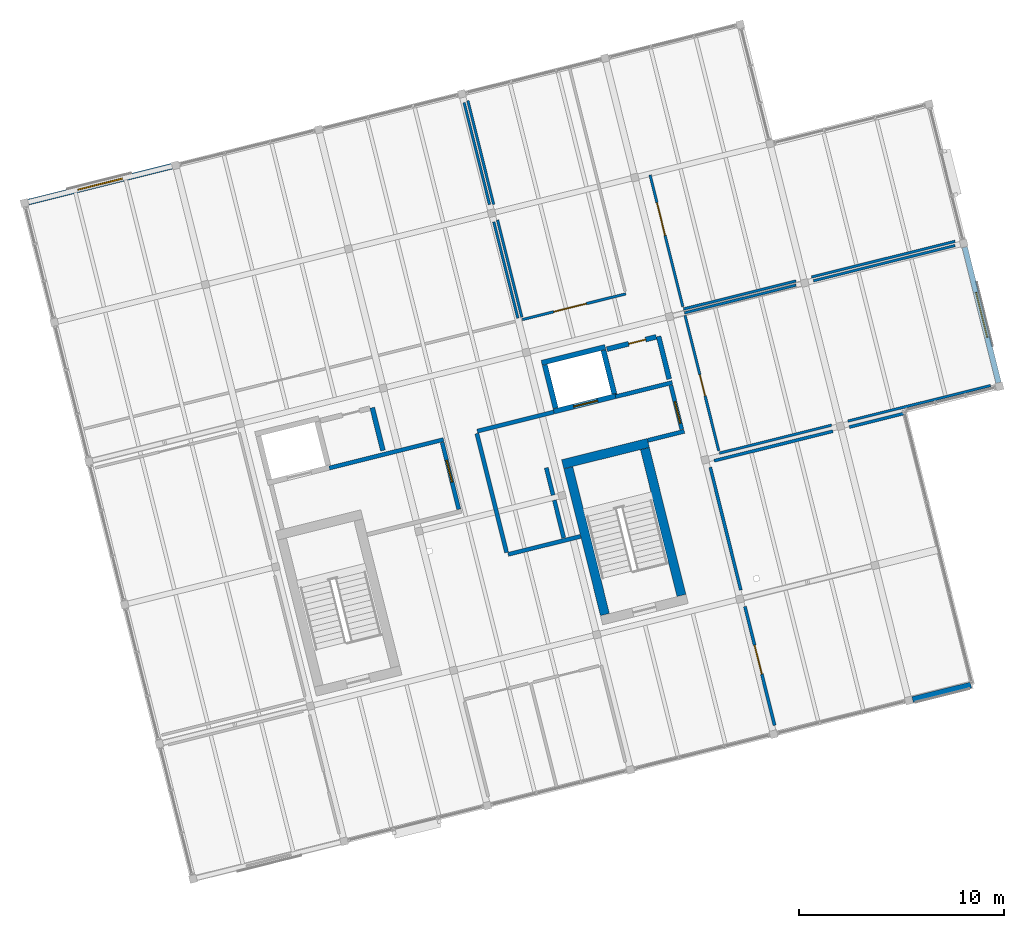
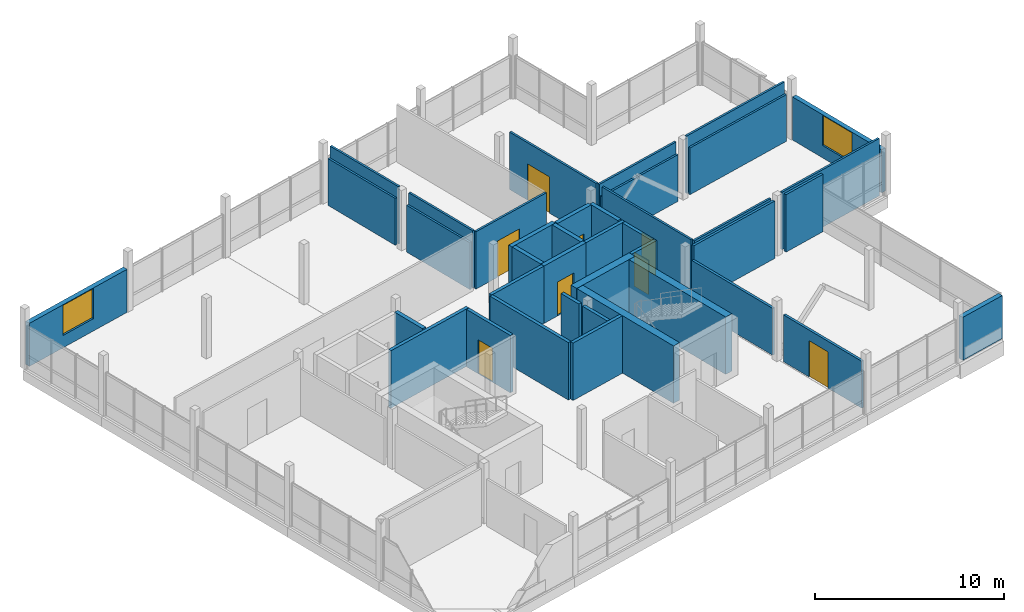
# One storey, part 26 of 28: 40 walls, 8 doors, 2 windows, 10 openings.
"""IFC4 building model written with IfcOpenShell, lengths in metres."""

from ifc_helpers import new_model, si_unit, direction, frame, frame_2d, origin, place, context, subcontext, project, spatial, rectangle, extrude, material, layer, layer_set, type_object, element, fill, save


model = new_model("IFC4")

# Units and contexts
model_context = context("Model", 3, precision=1e-05, world=origin(), true_north=direction((0.0, 1.0)))
body_context = subcontext(model_context, "Body", "Model", "MODEL_VIEW")
ifc_project = project(units=[si_unit("LENGTHUNIT", "METRE"), si_unit("AREAUNIT", "SQUARE_METRE"), si_unit("VOLUMEUNIT", "CUBIC_METRE"), si_unit("PLANEANGLEUNIT", "RADIAN"), si_unit("MASSUNIT", "GRAM", prefix="KILO")], contexts=[model_context])

# Site, building, storey
site_placement = place(None, origin())
site = spatial("IfcSite", under=ifc_project, at=site_placement, CompositionType="ELEMENT")
building_placement = place(site_placement, origin())
building = spatial("IfcBuilding", under=site, at=building_placement, Name="Meriwether Solvik Hall", CompositionType="ELEMENT")
storey_placement = place(building_placement, frame((0.0, 0.0, 37.800048828125)))
storey = spatial("IfcBuildingStorey", under=building, at=storey_placement, Name="L09", CompositionType="ELEMENT", Elevation=37.800048828125)

# Wall, opening, window
ifc_material_1 = material(Name="Charred Western Red Cedar Timber and Mineral Wool", Category="wood")
ifc_layer_1 = layer(ifc_material_1, 0.27001953125)
ifc_layer_set_1 = layer_set([ifc_layer_1], Name="Charred Western Red Cedar Timber and Mineral Wool")
wall_type_1 = type_object("IfcWallType", Name="WALL-EXT-270", PredefinedType="SOLIDWALL", material=ifc_layer_set_1)
wall_1_placement = place(storey_placement, frame((106.259765625, 72.031982421875, 0.0), z_axis=(0.0, 0.0, 1.0), x_axis=(0.241919880577, -0.970296228675, 0.0)))
wall_1 = element("IfcWall", 1, at=wall_1_placement, inside=storey, type_object=wall_type_1, Name="L09 Timber Rainscreen Wall 4.0", PredefinedType="SOLIDWALL", context=body_context, shape_type="SweptSolid", body=[
    extrude(rectangle(XDim=6.81103515625, YDim=0.27001953125, at=frame_2d((3.405517578125, 0.0))), origin(), (0.0, 0.0, 1.0), 2.7900390625),
])
opening_1_placement = place(wall_1_placement, frame((2.280517578125, 0.0, 0.800048828125)))
opening_1 = element("IfcOpeningElement", 2, at=opening_1_placement, cuts=wall_1, Name="Opening WN-150", PredefinedType="OPENING", context=body_context, shape_type="SweptSolid", body=[
    extrude(rectangle(XDim=2.25, YDim=1.949951171875, at=frame_2d((1.125, 0.97509765625))), frame((0.0, 0.14697265625, 0.0), z_axis=(0.0, -1.0, 0.0), x_axis=(1.0, 0.0, 0.0)), (0.0, 0.0, 1.0), 0.2939453125),
])
ifc_material_2 = material(Name="Thermally Broken Anodised Aluminium and Triple Low-E Glass", Category="aluminium")
window_type = type_object("IfcWindowType", Name="WIN-TW-SHARD-225X195", PartitioningType="SINGLE_PANEL", PredefinedType="WINDOW", material=ifc_material_2)
window_1_placement = place(opening_1_placement, origin())
window_1 = element("IfcWindow", 3, at=window_1_placement, inside=storey, type_object=window_type, Name="L09 Punched Window 4.0", OverallHeight=1.949951171875, OverallWidth=2.25, PartitioningType="SINGLE_PANEL", PredefinedType="WINDOW", context=body_context, shape_type="SweptSolid", body=[
    extrude(rectangle(XDim=2.25, YDim=1.949951171875, at=frame_2d((1.125, 0.97509765625))), frame((0.0, 0.030029296875, 0.0), z_axis=(0.0, -1.0, 0.0), x_axis=(1.0, 0.0, 0.0)), (0.0, 0.0, 1.0), 0.06005859375),
])
fill(opening_1, window_1)

# Wall
ifc_material_3 = material(Name="Cross-Laminated Timber and Mineral-Wool Insulation", Category="wood")
ifc_layer_2 = layer(ifc_material_3, 0.2900390625)
ifc_layer_set_2 = layer_set([ifc_layer_2], Name="Cross-Laminated Timber and Mineral-Wool Insulation")
wall_type_2 = type_object("IfcWallType", Name="WALL-EXT-290", PredefinedType="SOLIDWALL", material=ifc_layer_set_2)
wall_2_placement = place(storey_placement, frame((106.557861328125, 50.6640625, 0.0), z_axis=(0.0, 0.0, 1.0), x_axis=(-0.970289601144, -0.241946460839, 0.0)))
element("IfcWall", 4, at=wall_2_placement, inside=storey, type_object=wall_type_2, Name="L09 Timber Rainscreen Wall 1.5", PredefinedType="SOLIDWALL", context=body_context, shape_type="SweptSolid", body=[
    extrude(rectangle(XDim=2.92529296875, YDim=0.2900390625, at=frame_2d((1.462646484375, 0.0))), origin(), (0.0, 0.0, 1.0), 2.7900390625),
])

# Wall, opening, window
wall_3_placement = place(storey_placement, frame((60.5634765625, 74.237060546875, 0.0), z_axis=(0.0, 0.0, 1.0), x_axis=(0.970291682811, 0.241938112473, 0.0)))
wall_3 = element("IfcWall", 5, at=wall_3_placement, inside=storey, type_object=wall_type_2, Name="L09 Timber Rainscreen Wall 7.0", PredefinedType="SOLIDWALL", context=body_context, shape_type="SweptSolid", body=[
    extrude(rectangle(XDim=7.2109375, YDim=0.2900390625, at=frame_2d((3.60546875, 0.0))), origin(), (0.0, 0.0, 1.0), 2.7900390625),
])
opening_2_placement = place(wall_3_placement, frame((2.48046875, 0.0, 0.800048828125)))
opening_2 = element("IfcOpeningElement", 6, at=opening_2_placement, cuts=wall_3, Name="Opening WN-150", PredefinedType="OPENING", context=body_context, shape_type="SweptSolid", body=[
    extrude(rectangle(XDim=2.25, YDim=1.949951171875, at=frame_2d((1.125, 0.97509765625))), frame((0.0, 0.156982421875, 0.0), z_axis=(0.0, -1.0, 0.0), x_axis=(1.0, 0.0, 0.0)), (0.0, 0.0, 1.0), 0.31396484375),
])
window_2_placement = place(opening_2_placement, origin())
window_2 = element("IfcWindow", 7, at=window_2_placement, inside=storey, type_object=window_type, Name="L09 Punched Window 7.0", OverallHeight=1.949951171875, OverallWidth=2.25, PartitioningType="SINGLE_PANEL", PredefinedType="WINDOW", context=body_context, shape_type="SweptSolid", body=[
    extrude(rectangle(XDim=2.25, YDim=1.949951171875, at=frame_2d((1.125, 0.97509765625))), frame((0.0, 0.030029296875, 0.0), z_axis=(0.0, -1.0, 0.0), x_axis=(1.0, 0.0, 0.0)), (0.0, 0.0, 1.0), 0.06005859375),
])
fill(opening_2, window_2)

# Wall
ifc_material_4 = material(Name="Fire-Rated Type X Gypsum Board", Category="gypsum")
ifc_layer_3 = layer(ifc_material_4, 0.199951171875)
ifc_layer_set_3 = layer_set([ifc_layer_3], Name="Fire-Rated Type X Gypsum Board")
wall_type_3 = type_object("IfcWallType", Name="WALL-FIRE-200", PredefinedType="STANDARD", material=ifc_layer_set_3)
wall_4_placement = place(storey_placement, frame((75.24609375, 61.25341796875, 0.0), z_axis=(0.0, 0.0, 1.0), x_axis=(0.970292173201, 0.24193614576, 0.0)))
element("IfcWall", 8, at=wall_4_placement, inside=storey, type_object=wall_type_3, Name="L09 Interior Partition lb1_n_cap", PredefinedType="STANDARD", context=body_context, shape_type="SweptSolid", body=[
    extrude(rectangle(XDim=5.75, YDim=0.199951171875, at=frame_2d((2.875, 0.0))), origin(), (0.0, 0.0, 1.0), 3.719970703125),
])

# Wall, opening, door
wall_5_placement = place(storey_placement, frame((80.75732421875, 62.50390625, 0.0), z_axis=(0.0, 0.0, 1.0), x_axis=(0.241885902723, -0.970304699599, 0.0)))
wall_5 = element("IfcWall", 9, at=wall_5_placement, inside=storey, type_object=wall_type_3, Name="L09 Interior Partition lb1_e", PredefinedType="STANDARD", context=body_context, shape_type="SweptSolid", body=[
    extrude(rectangle(XDim=3.360107421875, YDim=0.199951171875, at=frame_2d((1.68017578125, 0.0))), origin(), (0.0, 0.0, 1.0), 3.719970703125),
])
opening_3_placement = place(wall_5_placement, frame((0.889892578125, 0.0, 0.0)))
opening_3 = element("IfcOpeningElement", 10, at=opening_3_placement, cuts=wall_5, Name="Opening D-168", PredefinedType="OPENING", context=body_context, shape_type="SweptSolid", body=[
    extrude(rectangle(XDim=1.10009765625, YDim=2.199951171875, at=frame_2d((0.550048828125, 1.10009765625))), frame((0.0, 0.11181640625, 0.0), z_axis=(0.0, -1.0, 0.0), x_axis=(1.0, 0.0, 0.0)), (0.0, 0.0, 1.0), 0.223876953125),
])
ifc_material_5 = material(Name="Steel A36 Galvanised", Category="steel")
door_type_1 = type_object("IfcDoorType", Name="DR-FD60-1100L", OperationType="SINGLE_SWING_LEFT", PredefinedType="DOOR", material=ifc_material_5)
door_1_placement = place(opening_3_placement, origin())
door_1 = element("IfcDoor", 11, at=door_1_placement, inside=storey, type_object=door_type_1, Name="West FSAE Lift Lobby Door (L09)", OperationType="SINGLE_SWING_LEFT", OverallHeight=2.199951171875, OverallWidth=1.10009765625, PredefinedType="DOOR", context=body_context, shape_type="SweptSolid", body=[
    extrude(rectangle(XDim=1.10009765625, YDim=2.199951171875, at=frame_2d((0.550048828125, 1.10009765625))), frame((0.0, 0.02490234375, 0.0), z_axis=(0.0, -1.0, 0.0), x_axis=(1.0, 0.0, 0.0)), (0.0, 0.0, 1.0), 0.050048828125),
])
fill(opening_3, door_1)

# Walls
wall_6_placement = place(storey_placement, frame((82.452880859375, 62.93701171875, 0.0), z_axis=(0.0, 0.0, 1.0), x_axis=(0.241891967324, -0.970303187743, 0.0)))
element("IfcWall", 12, at=wall_6_placement, inside=storey, type_object=wall_type_3, Name="L09 Interior Partition lb2_w", PredefinedType="STANDARD", context=body_context, shape_type="SweptSolid", body=[
    extrude(rectangle(XDim=5.97998046875, YDim=0.199951171875, at=frame_2d((2.989990234375, 0.0))), origin(), (0.0, 0.0, 1.0), 3.719970703125),
])
wall_7_placement = place(storey_placement, frame((83.972412109375, 57.03955078125, 0.0), z_axis=(0.0, 0.0, 1.0), x_axis=(0.97030000841, 0.241904720251, 0.0)))
element("IfcWall", 13, at=wall_7_placement, inside=storey, type_object=wall_type_3, Name="L09 Interior Partition lb2_s_w", PredefinedType="STANDARD", context=body_context, shape_type="SweptSolid", body=[
    extrude(rectangle(XDim=3.642333984375, YDim=0.199951171875, at=frame_2d((1.8212890625, 0.0))), origin(), (0.0, 0.0, 1.0), 3.719970703125),
])
wall_8_placement = place(storey_placement, frame((86.691650390625, 57.841064453125, 0.0), z_axis=(0.0, 0.0, 1.0), x_axis=(-0.241992731984, 0.970278062035, 0.0)))
element("IfcWall", 14, at=wall_8_placement, inside=storey, type_object=wall_type_3, Name="L09 Interior Partition lb2_e_low", PredefinedType="STANDARD", context=body_context, shape_type="SweptSolid", body=[
    extrude(rectangle(XDim=1.90478515625, YDim=0.199951171875, at=frame_2d((0.952392578125, 0.0))), origin(), (0.0, 0.0, 1.0), 3.719970703125),
])
wall_9_placement = place(storey_placement, frame((86.169921875, 59.932861328125, 0.0), z_axis=(0.0, 0.0, 1.0), x_axis=(-0.241824833036, 0.970319921535, 0.0)))
element("IfcWall", 15, at=wall_9_placement, inside=storey, type_object=wall_type_3, Name="L09 Interior Partition lb2_e_low_s2", PredefinedType="STANDARD", context=body_context, shape_type="SweptSolid", body=[
    extrude(rectangle(XDim=1.3740234375, YDim=0.199951171875, at=frame_2d((0.68701171875, 0.0))), origin(), (0.0, 0.0, 1.0), 3.719970703125),
])
wall_10_placement = place(storey_placement, frame((82.47265625, 63.05517578125, 0.0), z_axis=(0.0, 0.0, 1.0), x_axis=(0.970284368558, 0.241967444366, 0.0)))
element("IfcWall", 16, at=wall_10_placement, inside=storey, type_object=wall_type_3, Name="L09 Interior Partition lb2_n_cap_w", PredefinedType="STANDARD", context=body_context, shape_type="SweptSolid", body=[
    extrude(rectangle(XDim=3.84228515625, YDim=0.199951171875, at=frame_2d((1.921142578125, 0.0))), origin(), (0.0, 0.0, 1.0), 3.719970703125),
])
wall_11_placement = place(storey_placement, frame((90.791015625, 62.604248046875, 0.0), z_axis=(0.0, 0.0, 1.0), x_axis=(0.970306180373, 0.241879962645, 0.0)))
element("IfcWall", 17, at=wall_11_placement, inside=storey, type_object=wall_type_3, Name="L09 Interior Partition lb2_s", PredefinedType="STANDARD", context=body_context, shape_type="SweptSolid", body=[
    extrude(rectangle(XDim=1.840087890625, YDim=0.199951171875, at=frame_2d((0.919921875, 0.0))), origin(), (0.0, 0.0, 1.0), 3.719970703125),
])
wall_12_placement = place(storey_placement, frame((89.21826171875, 64.737060546875, 0.0), z_axis=(0.0, 0.0, 1.0), x_axis=(0.97027839681, 0.241991389687, 0.0)))
element("IfcWall", 18, at=wall_12_placement, inside=storey, type_object=wall_type_3, Name="L09 Interior Partition lb2_n_cap", PredefinedType="STANDARD", context=body_context, shape_type="SweptSolid", body=[
    extrude(rectangle(XDim=2.85009765625, YDim=0.199951171875, at=frame_2d((1.425048828125, 0.0))), origin(), (0.0, 0.0, 1.0), 3.719970703125),
])

# Wall, opening, door
wall_13_placement = place(storey_placement, frame((91.91552734375, 65.2861328125, 0.0), z_axis=(0.0, 0.0, 1.0), x_axis=(0.241911789465, -0.970298245963, 0.0)))
wall_13 = element("IfcWall", 19, at=wall_13_placement, inside=storey, type_object=wall_type_3, Name="L09 Interior Partition lb2_e", PredefinedType="STANDARD", context=body_context, shape_type="SweptSolid", body=[
    extrude(rectangle(XDim=2.210205078125, YDim=0.199951171875, at=frame_2d((1.10498046875, 0.0))), origin(), (0.0, 0.0, 1.0), 3.719970703125),
])
opening_4_placement = place(wall_13_placement, frame((0.81005859375, 0.0, 0.0)))
opening_4 = element("IfcOpeningElement", 20, at=opening_4_placement, cuts=wall_13, Name="Opening D-168", PredefinedType="OPENING", context=body_context, shape_type="SweptSolid", body=[
    extrude(rectangle(XDim=1.10009765625, YDim=2.199951171875, at=frame_2d((0.550048828125, 1.10009765625))), frame((0.0, 0.11181640625, 0.0), z_axis=(0.0, -1.0, 0.0), x_axis=(1.0, 0.0, 0.0)), (0.0, 0.0, 1.0), 0.223876953125),
])
door_2_placement = place(opening_4_placement, origin())
door_2 = element("IfcDoor", 21, at=door_2_placement, inside=storey, type_object=door_type_1, Name="East FSAE Lift Lobby Door (L09)", OperationType="SINGLE_SWING_LEFT", OverallHeight=2.199951171875, OverallWidth=1.10009765625, PredefinedType="DOOR", context=body_context, shape_type="SweptSolid", body=[
    extrude(rectangle(XDim=1.10009765625, YDim=2.199951171875, at=frame_2d((0.550048828125, 1.10009765625))), frame((0.0, 0.02490234375, 0.0), z_axis=(0.0, -1.0, 0.0), x_axis=(1.0, 0.0, 0.0)), (0.0, 0.0, 1.0), 0.050048828125),
])
fill(opening_4, door_2)

# Walls
ifc_material_6 = material(Name="Concrete C40/50", Category="concrete")
ifc_layer_4 = layer(ifc_material_6, 0.25)
ifc_layer_set_4 = layer_set([ifc_layer_4], Name="Concrete C40/50")
wall_type_4 = type_object("IfcWallType", Name="WALL-HOIST-250", PredefinedType="SHEAR", material=ifc_layer_set_4)
wall_14_placement = place(storey_placement, frame((88.716552734375, 67.162841796875, 0.0), z_axis=(0.0, 0.0, 1.0), x_axis=(-0.970294894235, -0.241925232711, 0.0)))
element("IfcWall", 22, at=wall_14_placement, inside=storey, type_object=wall_type_4, Name="Hoistway BANK2 North Wall (L09)", PredefinedType="SHEAR", context=body_context, shape_type="SweptSolid", body=[
    extrude(rectangle(XDim=3.199951171875, YDim=0.25, at=frame_2d((1.60009765625, 0.0))), origin(), (0.0, 0.0, 1.0), 3.719970703125),
])
for number, where, z_axis, x_axis, name in (
    (23, (85.765625, 66.287841796875, 0.0), (0.0, 0.0, 1.0), (0.241903146974, -0.970300400641, 0.0), "Hoistway BANK2 West Wall (L09)"),
    (24, (89.1552734375, 64.886474609375, 0.0), (0.0, 0.0, 1.0), (-0.241903146974, 0.970300400641, 0.0), "Hoistway BANK2 East Wall (L09)"),
):
    element("IfcWall", number, at=place(storey_placement, frame(where, z_axis=z_axis, x_axis=x_axis)), inside=storey, type_object=wall_type_4, Name=name, PredefinedType="SHEAR", context=body_context, shape_type="SweptSolid", body=[
        extrude(rectangle(XDim=2.179931640625, YDim=0.25, at=frame_2d((1.08984375, 0.0))), origin(), (0.0, 0.0, 1.0), 3.719970703125),
    ])

# Wall, opening, door
wall_15_placement = place(storey_placement, frame((86.204345703125, 64.011474609375, 0.0), z_axis=(0.0, 0.0, 1.0), x_axis=(0.970294894235, 0.241925232711, 0.0)))
wall_15 = element("IfcWall", 25, at=wall_15_placement, inside=storey, type_object=wall_type_4, Name="Lift LF-02 Landing Wall (L09)", PredefinedType="SHEAR", context=body_context, shape_type="SweptSolid", body=[
    extrude(rectangle(XDim=3.199951171875, YDim=0.25, at=frame_2d((1.60009765625, 0.0))), origin(), (0.0, 0.0, 1.0), 3.719970703125),
])
opening_5_placement = place(wall_15_placement, frame((1.0, 0.0, 0.0)))
opening_5 = element("IfcOpeningElement", 26, at=opening_5_placement, cuts=wall_15, Name="Opening LD-02", PredefinedType="OPENING", context=body_context, shape_type="SweptSolid", body=[
    extrude(rectangle(XDim=1.199951171875, YDim=2.199951171875, at=frame_2d((0.60009765625, 1.10009765625))), frame((0.0, 0.136962890625, 0.0), z_axis=(0.0, -1.0, 0.0), x_axis=(1.0, 0.0, 0.0)), (0.0, 0.0, 1.0), 0.27392578125),
])
ifc_material_7 = material(Name="Stainless Steel AISI 316", Category="steel")
door_type_2 = type_object("IfcDoorType", Name="DR-LIFT-FSAE", OperationType="DOUBLE_DOOR_SLIDING", PredefinedType="DOOR", material=ifc_material_7)
door_3_placement = place(opening_5_placement, origin())
door_3 = element("IfcDoor", 27, at=door_3_placement, inside=storey, type_object=door_type_2, Name="Lift Landing Door LF-02 (L09)", OperationType="DOUBLE_DOOR_SLIDING", OverallHeight=2.199951171875, OverallWidth=1.199951171875, PredefinedType="DOOR", context=body_context, shape_type="SweptSolid", body=[
    extrude(rectangle(XDim=1.199951171875, YDim=2.199951171875, at=frame_2d((0.60009765625, 1.10009765625))), frame((0.0, 0.02490234375, 0.0), z_axis=(0.0, -1.0, 0.0), x_axis=(1.0, 0.0, 0.0)), (0.0, 0.0, 1.0), 0.050048828125),
])
fill(opening_5, door_3)

# Walls
ifc_material_8 = material(Name="Gypsum Board Partition", Category="gypsum")
ifc_layer_5 = layer(ifc_material_8, 0.125)
ifc_layer_set_5 = layer_set([ifc_layer_5], Name="Gypsum Board Partition")
wall_type_5 = type_object("IfcWallType", Name="WALL-PART-125", PredefinedType="PARTITIONING", material=ifc_layer_set_5)
wall_16_placement = place(storey_placement, frame((84.449951171875, 68.5673828125, 0.0), z_axis=(0.0, 0.0, 1.0), x_axis=(-0.241894861771, 0.970302466166, 0.0)))
element("IfcWall", 28, at=wall_16_placement, inside=storey, type_object=wall_type_5, Name="L09 Interior Partition wk_nw_e", PredefinedType="PARTITIONING", context=body_context, shape_type="SweptSolid", body=[
    extrude(rectangle(XDim=4.841552734375, YDim=0.125, at=frame_2d((2.4208984375, 0.0))), origin(), (0.0, 0.0, 1.0), 3.034912109375),
])
wall_17_placement = place(storey_placement, frame((83.066650390625, 74.115966796875, 0.0), z_axis=(0.0, 0.0, 1.0), x_axis=(-0.241941301347, 0.970290887674, 0.0)))
element("IfcWall", 29, at=wall_17_placement, inside=storey, type_object=wall_type_5, Name="L09 Interior Partition wk_nw_e_s2", PredefinedType="PARTITIONING", context=body_context, shape_type="SweptSolid", body=[
    extrude(rectangle(XDim=5.123046875, YDim=0.125, at=frame_2d((2.5615234375, 0.0))), origin(), (0.0, 0.0, 1.0), 3.034912109375),
])

# Wall, opening, door
wall_18_placement = place(storey_placement, frame((84.673095703125, 68.499267578125, 0.0), z_axis=(0.0, 0.0, 1.0), x_axis=(0.970294203593, 0.241928002667, 0.0)))
wall_18 = element("IfcWall", 30, at=wall_18_placement, inside=storey, type_object=wall_type_5, Name="L09 Interior Partition wk_nc_s", PredefinedType="PARTITIONING", context=body_context, shape_type="SweptSolid", body=[
    extrude(rectangle(XDim=5.2001953125, YDim=0.125, at=frame_2d((2.60009765625, 0.0))), origin(), (0.0, 0.0, 1.0), 3.719970703125),
])
opening_6_placement = place(wall_18_placement, frame((1.57080078125, 0.0, 0.0)))
opening_6 = element("IfcOpeningElement", 31, at=opening_6_placement, cuts=wall_18, Name="Opening D-137", PredefinedType="OPENING", context=body_context, shape_type="SweptSolid", body=[
    extrude(rectangle(XDim=1.64990234375, YDim=2.35009765625, at=frame_2d((0.824951171875, 1.175048828125))), frame((0.0, 0.074462890625, 0.0), z_axis=(0.0, -1.0, 0.0), x_axis=(1.0, 0.0, 0.0)), (0.0, 0.0, 1.0), 0.14892578125),
])
ifc_material_9 = material(Name="Laminated Vision Glass and Solid White Oak Timber", Category="wood")
door_type_3 = type_object("IfcDoorType", Name="DR-INT-1650", OperationType="DOUBLE_DOOR_SINGLE_SWING", PredefinedType="DOOR", material=ifc_material_9)
door_4_placement = place(opening_6_placement, origin())
door_4 = element("IfcDoor", 32, at=door_4_placement, inside=storey, type_object=door_type_3, Name="L09 Civic Data Analytics Workplace Door", OperationType="DOUBLE_DOOR_SINGLE_SWING", OverallHeight=2.35009765625, OverallWidth=1.64990234375, PredefinedType="DOOR", context=body_context, shape_type="SweptSolid", body=[
    extrude(rectangle(XDim=1.64990234375, YDim=2.35009765625, at=frame_2d((0.824951171875, 1.175048828125))), frame((0.0, 0.02490234375, 0.0), z_axis=(0.0, -1.0, 0.0), x_axis=(1.0, 0.0, 0.0)), (0.0, 0.0, 1.0), 0.050048828125),
])
fill(opening_6, door_4)

# Walls
wall_19_placement = place(storey_placement, frame((82.009521484375, 79.1826171875, 0.0), z_axis=(0.0, 0.0, 1.0), x_axis=(0.241908270235, -0.970299123359, 0.0)))
element("IfcWall", 33, at=wall_19_placement, inside=storey, type_object=wall_type_5, Name="L09 Interior Partition wk_nc_w", PredefinedType="PARTITIONING", context=body_context, shape_type="SweptSolid", body=[
    extrude(rectangle(XDim=5.2197265625, YDim=0.125, at=frame_2d((2.60986328125, 0.0))), origin(), (0.0, 0.0, 1.0), 3.719970703125),
])
wall_20_placement = place(storey_placement, frame((83.4609375, 73.36083984375, 0.0), z_axis=(0.0, 0.0, 1.0), x_axis=(0.241924759673, -0.970295012178, 0.0)))
element("IfcWall", 34, at=wall_20_placement, inside=storey, type_object=wall_type_5, Name="L09 Interior Partition wk_nc_w_s2", PredefinedType="PARTITIONING", context=body_context, shape_type="SweptSolid", body=[
    extrude(rectangle(XDim=4.890380859375, YDim=0.125, at=frame_2d((2.4453125, 0.0))), origin(), (0.0, 0.0, 1.0), 3.719970703125),
])
wall_21_placement = place(storey_placement, frame((94.28564453125, 61.981201171875, 0.0), z_axis=(0.0, 0.0, 1.0), x_axis=(0.970297669748, 0.241914100624, 0.0)))
element("IfcWall", 35, at=wall_21_placement, inside=storey, type_object=wall_type_5, Name="L09 Interior Partition east_w1_s", PredefinedType="PARTITIONING", context=body_context, shape_type="SweptSolid", body=[
    extrude(rectangle(XDim=5.638427734375, YDim=0.125, at=frame_2d((2.8193359375, 0.0))), origin(), (0.0, 0.0, 1.0), 3.719970703125),
])
wall_22_placement = place(storey_placement, frame((100.55712890625, 63.544921875, 0.0), z_axis=(0.0, 0.0, 1.0), x_axis=(0.970294426978, 0.241927106741, 0.0)))
element("IfcWall", 36, at=wall_22_placement, inside=storey, type_object=wall_type_5, Name="L09 Interior Partition east_w1_s_s2", PredefinedType="PARTITIONING", context=body_context, shape_type="SweptSolid", body=[
    extrude(rectangle(XDim=7.175048828125, YDim=0.125, at=frame_2d((3.58740234375, 0.0))), origin(), (0.0, 0.0, 1.0), 3.719970703125),
])
wall_23_placement = place(storey_placement, frame((105.787353515625, 72.11474609375, 0.0), z_axis=(0.0, 0.0, 1.0), x_axis=(-0.97029150847, -0.241938811667, 0.0)))
element("IfcWall", 37, at=wall_23_placement, inside=storey, type_object=wall_type_5, Name="L09 Interior Partition east_w1_n", PredefinedType="PARTITIONING", context=body_context, shape_type="SweptSolid", body=[
    extrude(rectangle(XDim=7.123291015625, YDim=0.125, at=frame_2d((3.5615234375, 0.0))), origin(), (0.0, 0.0, 1.0), 3.02685546875),
])
wall_24_placement = place(storey_placement, frame((98.02490234375, 70.179443359375, 0.0), z_axis=(0.0, 0.0, 1.0), x_axis=(-0.970290753742, -0.24194183847, 0.0)))
element("IfcWall", 38, at=wall_24_placement, inside=storey, type_object=wall_type_5, Name="L09 Interior Partition east_w1_n_s2", PredefinedType="PARTITIONING", context=body_context, shape_type="SweptSolid", body=[
    extrude(rectangle(XDim=5.611572265625, YDim=0.125, at=frame_2d((2.8056640625, 0.0))), origin(), (0.0, 0.0, 1.0), 3.02685546875),
])

# Wall, opening, door
wall_25_placement = place(storey_placement, frame((92.609130859375, 68.705322265625, 0.0), z_axis=(0.0, 0.0, 1.0), x_axis=(0.241919789553, -0.97029625137, 0.0)))
wall_25 = element("IfcWall", 39, at=wall_25_placement, inside=storey, type_object=wall_type_5, Name="L09 Interior Partition east_w1_w", PredefinedType="PARTITIONING", context=body_context, shape_type="SweptSolid", body=[
    extrude(rectangle(XDim=6.81005859375, YDim=0.125, at=frame_2d((3.405029296875, 0.0))), origin(), (0.0, 0.0, 1.0), 3.719970703125),
])
opening_7_placement = place(wall_25_placement, frame((2.986572265625, 0.0, 0.0)))
opening_7 = element("IfcOpeningElement", 40, at=opening_7_placement, cuts=wall_25, Name="Opening D-175", PredefinedType="OPENING", context=body_context, shape_type="SweptSolid", body=[
    extrude(rectangle(XDim=1.050048828125, YDim=2.25, at=frame_2d((0.52490234375, 1.125))), frame((0.0, 0.074462890625, 0.0), z_axis=(0.0, -1.0, 0.0), x_axis=(1.0, 0.0, 0.0)), (0.0, 0.0, 1.0), 0.14892578125),
])
ifc_material_10 = material(Name="Solid-Core Rift White Oak Timber", Category="wood")
door_type_4 = type_object("IfcDoorType", Name="DR-FEL-1050L", OperationType="SINGLE_SWING_LEFT", PredefinedType="DOOR", material=ifc_material_10)
door_5_placement = place(opening_7_placement, origin())
door_5 = element("IfcDoor", 41, at=door_5_placement, inside=storey, type_object=door_type_4, Name="L09 Regional Grants Office Door", OperationType="SINGLE_SWING_LEFT", OverallHeight=2.25, OverallWidth=1.050048828125, PredefinedType="DOOR", context=body_context, shape_type="SweptSolid", body=[
    extrude(rectangle(XDim=1.050048828125, YDim=2.25, at=frame_2d((0.52490234375, 1.125))), frame((0.0, 0.02490234375, 0.0), z_axis=(0.0, -1.0, 0.0), x_axis=(1.0, 0.0, 0.0)), (0.0, 0.0, 1.0), 0.050048828125),
])
fill(opening_7, door_5)

# Walls
wall_26_placement = place(storey_placement, frame((92.531494140625, 69.015869140625, 0.0), z_axis=(0.0, 0.0, 1.0), x_axis=(0.970297090917, 0.241916422259, 0.0)))
element("IfcWall", 42, at=wall_26_placement, inside=storey, type_object=wall_type_5, Name="L09 Interior Partition east_w2_s", PredefinedType="PARTITIONING", context=body_context, shape_type="SweptSolid", body=[
    extrude(rectangle(XDim=5.65966796875, YDim=0.125, at=frame_2d((2.829833984375, 0.0))), origin(), (0.0, 0.0, 1.0), 3.719970703125),
])
wall_27_placement = place(storey_placement, frame((98.780029296875, 70.57373046875, 0.0), z_axis=(0.0, 0.0, 1.0), x_axis=(0.970295475322, 0.241922902117, 0.0)))
element("IfcWall", 43, at=wall_27_placement, inside=storey, type_object=wall_type_5, Name="L09 Interior Partition east_w2_s_s2", PredefinedType="PARTITIONING", context=body_context, shape_type="SweptSolid", body=[
    extrude(rectangle(XDim=7.219482421875, YDim=0.125, at=frame_2d((3.60986328125, 0.0))), origin(), (0.0, 0.0, 1.0), 3.719970703125),
])

# Wall, opening, door
wall_28_placement = place(storey_placement, frame((90.901123046875, 75.5556640625, 0.0), z_axis=(0.0, 0.0, 1.0), x_axis=(0.241928153868, -0.970294165893, 0.0)))
wall_28 = element("IfcWall", 44, at=wall_28_placement, inside=storey, type_object=wall_type_5, Name="L09 Interior Partition east_w2_w", PredefinedType="PARTITIONING", context=body_context, shape_type="SweptSolid", body=[
    extrude(rectangle(XDim=6.619873046875, YDim=0.125, at=frame_2d((3.31005859375, 0.0))), origin(), (0.0, 0.0, 1.0), 3.719970703125),
])
opening_8_placement = place(wall_28_placement, frame((1.389892578125, 0.0, 0.0)))
opening_8 = element("IfcOpeningElement", 45, at=opening_8_placement, cuts=wall_28, Name="Opening D-137", PredefinedType="OPENING", context=body_context, shape_type="SweptSolid", body=[
    extrude(rectangle(XDim=1.64990234375, YDim=2.35009765625, at=frame_2d((0.824951171875, 1.175048828125))), frame((0.0, 0.074462890625, 0.0), z_axis=(0.0, -1.0, 0.0), x_axis=(1.0, 0.0, 0.0)), (0.0, 0.0, 1.0), 0.14892578125),
])
door_6_placement = place(opening_8_placement, origin())
door_6 = element("IfcDoor", 46, at=door_6_placement, inside=storey, type_object=door_type_3, Name="L09 Public Policy Fellows Suite Door", OperationType="DOUBLE_DOOR_SINGLE_SWING", OverallHeight=2.35009765625, OverallWidth=1.64990234375, PredefinedType="DOOR", context=body_context, shape_type="SweptSolid", body=[
    extrude(rectangle(XDim=1.64990234375, YDim=2.35009765625, at=frame_2d((0.824951171875, 1.175048828125))), frame((0.0, 0.02490234375, 0.0), z_axis=(0.0, -1.0, 0.0), x_axis=(1.0, 0.0, 0.0)), (0.0, 0.0, 1.0), 0.050048828125),
])
fill(opening_8, door_6)

# Walls
ifc_material_11 = material(Name="Gypsum Board Partition", Category="gypsum")
ifc_layer_6 = layer(ifc_material_11, 0.14990234375)
ifc_layer_set_6 = layer_set([ifc_layer_6], Name="Gypsum Board Partition")
wall_type_6 = type_object("IfcWallType", Name="WALL-PART-150", PredefinedType="PARTITIONING", material=ifc_layer_set_6)
wall_29_placement = place(storey_placement, frame((103.275146484375, 63.913330078125, 0.0), z_axis=(0.0, 0.0, 1.0), x_axis=(-0.970289695095, -0.241946084059, 0.0)))
element("IfcWall", 47, at=wall_29_placement, inside=storey, type_object=wall_type_6, Name="L09 Interior Partition shard_e_n", PredefinedType="PARTITIONING", context=body_context, shape_type="SweptSolid", body=[
    extrude(rectangle(XDim=2.728515625, YDim=0.14990234375, at=frame_2d((1.3642578125, 0.0))), origin(), (0.0, 0.0, 1.0), 3.719970703125),
])
wall_30_placement = place(storey_placement, frame((99.8271484375, 63.0537109375, 0.0), z_axis=(0.0, 0.0, 1.0), x_axis=(-0.970293732071, -0.24192989378, 0.0)))
element("IfcWall", 48, at=wall_30_placement, inside=storey, type_object=wall_type_6, Name="L09 Interior Partition shard_e_n_s2", PredefinedType="PARTITIONING", context=body_context, shape_type="SweptSolid", body=[
    extrude(rectangle(XDim=5.97509765625, YDim=0.14990234375, at=frame_2d((2.987548828125, 0.0))), origin(), (0.0, 0.0, 1.0), 3.719970703125),
])
wall_31_placement = place(storey_placement, frame((93.839599609375, 61.289306640625, 0.0), z_axis=(0.0, 0.0, 1.0), x_axis=(0.241921603562, -0.970295799089, 0.0)))
element("IfcWall", 49, at=wall_31_placement, inside=storey, type_object=wall_type_6, Name="L09 Interior Partition shard_e_w", PredefinedType="PARTITIONING", context=body_context, shape_type="SweptSolid", body=[
    extrude(rectangle(XDim=6.175048828125, YDim=0.14990234375, at=frame_2d((3.08740234375, 0.0))), origin(), (0.0, 0.0, 1.0), 3.034912109375),
])

# Wall, opening, door
wall_32_placement = place(storey_placement, frame((95.533203125, 54.497314453125, 0.0), z_axis=(0.0, 0.0, 1.0), x_axis=(0.24192989378, -0.970293732071, 0.0)))
wall_32 = element("IfcWall", 50, at=wall_32_placement, inside=storey, type_object=wall_type_6, Name="L09 Interior Partition shard_e_w_s2", PredefinedType="PARTITIONING", context=body_context, shape_type="SweptSolid", body=[
    extrude(rectangle(XDim=5.97509765625, YDim=0.14990234375, at=frame_2d((2.987548828125, 0.0))), origin(), (0.0, 0.0, 1.0), 3.034912109375),
])
opening_9_placement = place(wall_32_placement, frame((1.9453125, 0.0, 0.0)))
opening_9 = element("IfcOpeningElement", 51, at=opening_9_placement, cuts=wall_32, Name="Opening D-152", PredefinedType="OPENING", context=body_context, shape_type="SweptSolid", body=[
    extrude(rectangle(XDim=1.449951171875, YDim=2.35009765625, at=frame_2d((0.72509765625, 1.175048828125))), frame((0.0, 0.0869140625, 0.0), z_axis=(0.0, -1.0, 0.0), x_axis=(1.0, 0.0, 0.0)), (0.0, 0.0, 1.0), 0.173828125),
])
ifc_material_12 = material(Name="Laminated Vision Glass and Solid White Oak Timber", Category="wood")
door_type_5 = type_object("IfcDoorType", Name="DR-CONF-1450", OperationType="DOUBLE_DOOR_SINGLE_SWING", PredefinedType="DOOR", material=ifc_material_12)
door_7_placement = place(opening_9_placement, origin())
door_7 = element("IfcDoor", 52, at=door_7_placement, inside=storey, type_object=door_type_5, Name="L09 East Shard Boardroom Door", OperationType="DOUBLE_DOOR_SINGLE_SWING", OverallHeight=2.35009765625, OverallWidth=1.449951171875, PredefinedType="DOOR", context=body_context, shape_type="SweptSolid", body=[
    extrude(rectangle(XDim=1.449951171875, YDim=2.35009765625, at=frame_2d((0.72509765625, 1.175048828125))), frame((0.0, 0.02490234375, 0.0), z_axis=(0.0, -1.0, 0.0), x_axis=(1.0, 0.0, 0.0)), (0.0, 0.0, 1.0), 0.050048828125),
])
fill(opening_9, door_7)

# Walls
ifc_material_13 = material(Name="Concrete C45/55", Category="concrete")
ifc_layer_7 = layer(ifc_material_13, 0.449951171875)
ifc_layer_set_7 = layer_set([ifc_layer_7], Name="Concrete C45/55")
wall_type_7 = type_object("IfcWallType", Name="WALL-RC-450", PredefinedType="SHEAR", material=ifc_layer_set_7)
wall_33_placement = place(storey_placement, frame((90.8115234375, 62.48046875, 0.0), z_axis=(0.0, 0.0, 1.0), x_axis=(-0.970309259708, -0.2418676095, 0.0)))
element("IfcWall", 53, at=wall_33_placement, inside=storey, type_object=wall_type_7, Name="CORE-2 Shear Wall N (L09)", PredefinedType="SHEAR", context=body_context, shape_type="SweptSolid", body=[
    extrude(rectangle(XDim=4.300048828125, YDim=0.449951171875, at=frame_2d((2.14990234375, 0.0))), origin(), (0.0, 0.0, 1.0), 3.719970703125),
])
for number, where, z_axis, x_axis, name in (
    (54, (86.91455078125, 61.266845703125, 0.0), (0.0, 0.0, 1.0), (0.241889515465, -0.970303798976, 0.0), "CORE-2 Shear Wall W (L09)"),
    (55, (92.435546875, 55.037353515625, 0.0), (0.0, 0.0, 1.0), (-0.241920660665, 0.970296034179, 0.0), "CORE-2 Shear Wall E (L09)"),
):
    element("IfcWall", number, at=place(storey_placement, frame(where, z_axis=z_axis, x_axis=x_axis)), inside=storey, type_object=wall_type_7, Name=name, PredefinedType="SHEAR", context=body_context, shape_type="SweptSolid", body=[
        extrude(rectangle(XDim=7.380126953125, YDim=0.449951171875, at=frame_2d((3.68994140625, 0.0))), origin(), (0.0, 0.0, 1.0), 3.719970703125),
    ])
ifc_material_14 = material(Name="Concrete C35/45", Category="concrete")
ifc_layer_8 = layer(ifc_material_14, 0.239990234375)
ifc_layer_set_8 = layer_set([ifc_layer_8], Name="Concrete C35/45")
wall_type_8 = type_object("IfcWallType", Name="WALL-SHAFT-240", PredefinedType="STANDARD", material=ifc_layer_set_8)
for number, where, z_axis, x_axis, name in (
    (56, (77.865966796875, 62.11279296875, 0.0), (0.0, 0.0, 1.0), (-0.2418676095, 0.970309259708, 0.0), "L09 Interior Partition riser1_e"),
    (57, (91.838134765625, 65.596435546875, 0.0), (0.0, 0.0, 1.0), (-0.2418676095, 0.970309259708, 0.0), "L09 Interior Partition riser2_e"),
):
    element("IfcWall", number, at=place(storey_placement, frame(where, z_axis=z_axis, x_axis=x_axis)), inside=storey, type_object=wall_type_8, Name=name, PredefinedType="STANDARD", context=body_context, shape_type="SweptSolid", body=[
        extrude(rectangle(XDim=2.14990234375, YDim=0.239990234375, at=frame_2d((1.074951171875, 0.0))), origin(), (0.0, 0.0, 1.0), 3.719970703125),
    ])

# Wall, opening, door
wall_34_placement = place(storey_placement, frame((91.20166015625, 67.653564453125, 0.0), z_axis=(0.0, 0.0, 1.0), x_axis=(-0.970304433136, -0.241886971613, 0.0)))
wall_34 = element("IfcWall", 58, at=wall_34_placement, inside=storey, type_object=wall_type_8, Name="L09 Interior Partition riser2_n", PredefinedType="STANDARD", context=body_context, shape_type="SweptSolid", body=[
    extrude(rectangle(XDim=2.47998046875, YDim=0.239990234375, at=frame_2d((1.239990234375, 0.0))), origin(), (0.0, 0.0, 1.0), 3.719970703125),
])
opening_10_placement = place(wall_34_placement, frame((0.530029296875, 0.0, 0.0)))
opening_10 = element("IfcOpeningElement", 59, at=opening_10_placement, cuts=wall_34, Name="Opening D-186", PredefinedType="OPENING", context=body_context, shape_type="SweptSolid", body=[
    extrude(rectangle(XDim=0.85009765625, YDim=2.10009765625, at=frame_2d((0.425048828125, 1.050048828125))), frame((0.0, 0.1318359375, 0.0), z_axis=(0.0, -1.0, 0.0), x_axis=(1.0, 0.0, 0.0)), (0.0, 0.0, 1.0), 0.263916015625),
])
ifc_material_15 = material(Name="Steel A36 Galvanised", Category="steel")
door_type_6 = type_object("IfcDoorType", Name="DR-FD60-850R", OperationType="SINGLE_SWING_RIGHT", PredefinedType="DOOR", material=ifc_material_15)
door_8_placement = place(opening_10_placement, origin())
door_8 = element("IfcDoor", 60, at=door_8_placement, inside=storey, type_object=door_type_6, Name="Electrical Riser Closet Door (L09)", OperationType="SINGLE_SWING_RIGHT", OverallHeight=2.10009765625, OverallWidth=0.85009765625, PredefinedType="DOOR", context=body_context, shape_type="SweptSolid", body=[
    extrude(rectangle(XDim=0.85009765625, YDim=2.10009765625, at=frame_2d((0.425048828125, 1.050048828125))), frame((0.0, 0.02490234375, 0.0), z_axis=(0.0, -1.0, 0.0), x_axis=(1.0, 0.0, 0.0)), (0.0, 0.0, 1.0), 0.050048828125),
])
fill(opening_10, door_8)

save(model, "model.ifc")
